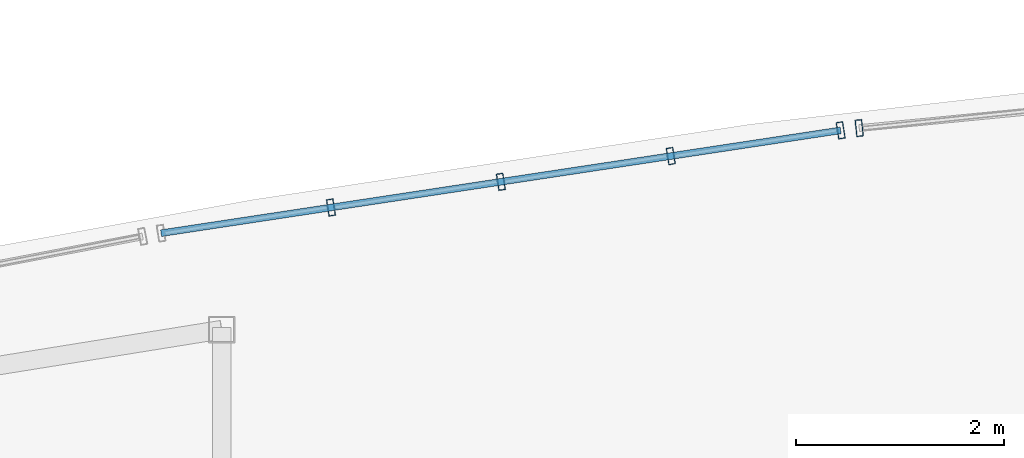
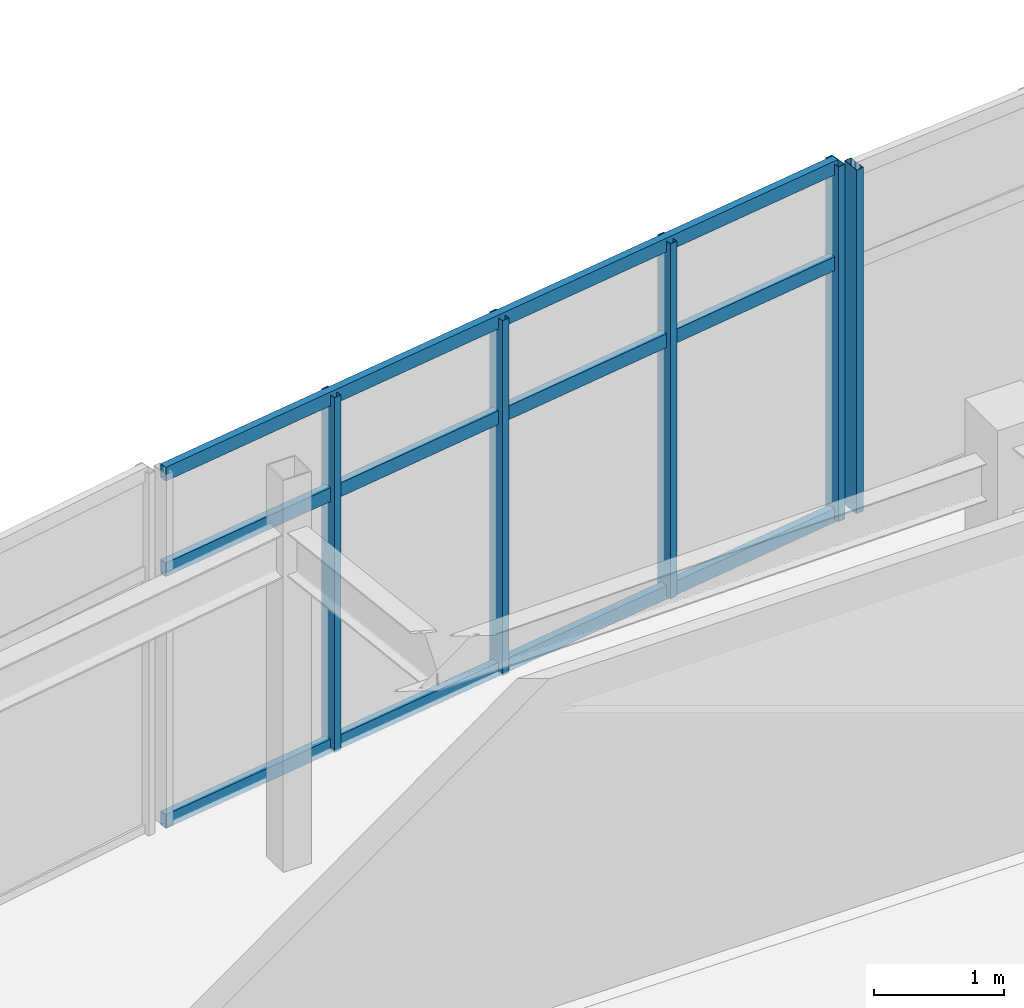
# One storey, part 44 of 65: 8 members, 2 elements without a shape of their own.
"""IFC4 building model written with IfcOpenShell, lengths in metres."""

from ifc_helpers import new_model, si_unit, direction, frame, origin, origin_2d, place, context, subcontext, project, spatial, hollow_rectangle, extrude, material, layer, layer_set, material_profile, profile_set, type_object, element, aggregate, save


model = new_model("IFC4")

# Units and contexts
model_context = context("Model", 3, precision=1e-05, world=origin(), true_north=direction((0.0, 1.0)))
body_context = subcontext(model_context, "Body", "Model", "MODEL_VIEW")
ifc_project = project(units=[si_unit("LENGTHUNIT", "METRE"), si_unit("AREAUNIT", "SQUARE_METRE"), si_unit("VOLUMEUNIT", "CUBIC_METRE"), si_unit("PLANEANGLEUNIT", "RADIAN"), si_unit("MASSUNIT", "GRAM", prefix="KILO")], contexts=[model_context])

# Site, building, storey
site_placement = place(None, origin())
site = spatial("IfcSite", under=ifc_project, at=site_placement, CompositionType="ELEMENT")
building_placement = place(site_placement, origin())
building = spatial("IfcBuilding", under=site, at=building_placement, Name="Chalmorin Arch Market", CompositionType="ELEMENT")
storey_placement = place(building_placement, frame((0.0, 0.0, 14.10009765625)))
storey = spatial("IfcBuildingStorey", under=building, at=storey_placement, Name="L03", CompositionType="ELEMENT", Elevation=14.10009765625)

# Curtain wall, members
ifc_material = material(Name="Aluminium 6063-T6", Category="aluminium")
ifc_layer_1 = layer(ifc_material, 0.159912109375)
ifc_layer_set_1 = layer_set([ifc_layer_1], Name="Aluminium 6063-T6")
curtain_wall_type_1 = type_object("IfcCurtainWallType", Name="CulinaryStudioCurtainWall-CW3-6620x3330", PredefinedType="NOTDEFINED", material=ifc_layer_set_1)
curtain_wall_1_placement = place(storey_placement, origin())
curtain_wall_1 = element("IfcCurtainWall", 1, at=curtain_wall_1_placement, inside=storey, type_object=curtain_wall_type_1, Name="CW-03-129", PredefinedType="NOTDEFINED")
ifc_material_profile_1 = material_profile(ifc_material, hollow_rectangle(XDim=0.06494140625, YDim=0.159912109375, WallThickness=0.00390625, at=origin_2d()), Name="ALU65X160X4")
ifc_profile_set_1 = profile_set([ifc_material_profile_1], Name="Aluminium 6063-T6")
member_type_1 = type_object("IfcMemberType", Name="CurtainWallMullion-65x160", PredefinedType="MULLION", material=ifc_profile_set_1)
member_1_placement = place(storey_placement, frame((63.16455078125, 121.445068359375, -0.02001953125), z_axis=(0.0, 0.0, 1.0), x_axis=(0.987688340595, 0.15643446504, 0.0)))
member_1 = element("IfcMember", 2, at=member_1_placement, type_object=member_type_1, Name="ML-129-02", PredefinedType="MULLION", context=body_context, shape_type="SweptSolid", body=[
    extrude(hollow_rectangle(XDim=0.06494140625, YDim=0.159912109375, WallThickness=0.00390625, at=origin_2d()), origin(), (0.0, 0.0, 1.0), 3.3330078125),
])
member_2_placement = place(storey_placement, frame((64.800048828125, 121.6923828125, -0.02001953125), z_axis=(0.0, 0.0, 1.0), x_axis=(0.987688340595, 0.15643446504, 0.0)))
member_2 = element("IfcMember", 3, at=member_2_placement, type_object=member_type_1, Name="ML-129-03", PredefinedType="MULLION", context=body_context, shape_type="SweptSolid", body=[
    extrude(hollow_rectangle(XDim=0.06494140625, YDim=0.159912109375, WallThickness=0.00390625, at=origin_2d()), origin(), (0.0, 0.0, 1.0), 3.3330078125),
])
member_3_placement = place(storey_placement, frame((66.435546875, 121.93994140625, -0.02001953125), z_axis=(0.0, 0.0, 1.0), x_axis=(0.987688340595, 0.15643446504, 0.0)))
member_3 = element("IfcMember", 4, at=member_3_placement, type_object=member_type_1, Name="ML-129-04", PredefinedType="MULLION", context=body_context, shape_type="SweptSolid", body=[
    extrude(hollow_rectangle(XDim=0.06494140625, YDim=0.159912109375, WallThickness=0.00390625, at=origin_2d()), origin(), (0.0, 0.0, 1.0), 3.3330078125),
])
member_4_placement = place(storey_placement, frame((68.071044921875, 122.1875, -0.02001953125), z_axis=(0.0, 0.0, 1.0), x_axis=(0.987688340595, 0.15643446504, 0.0)))
member_4 = element("IfcMember", 5, at=member_4_placement, type_object=member_type_1, Name="ML-129-05", PredefinedType="MULLION", context=body_context, shape_type="SweptSolid", body=[
    extrude(hollow_rectangle(XDim=0.06494140625, YDim=0.159912109375, WallThickness=0.00390625, at=origin_2d()), origin(), (0.0, 0.0, 1.0), 3.3330078125),
])

# Curtain wall, member
ifc_layer_2 = layer(ifc_material, 0.159912109375)
ifc_layer_set_2 = layer_set([ifc_layer_2], Name="Aluminium 6063-T6")
curtain_wall_type_2 = type_object("IfcCurtainWallType", Name="CulinaryStudioCurtainWall-CW3-6570x3230", PredefinedType="NOTDEFINED", material=ifc_layer_set_2)
curtain_wall_2_placement = place(storey_placement, origin())
curtain_wall_2 = element("IfcCurtainWall", 6, at=curtain_wall_2_placement, inside=storey, type_object=curtain_wall_type_2, Name="CW-03-132", PredefinedType="NOTDEFINED")
member_5_placement = place(storey_placement, frame((68.24951171875, 122.209716796875, -0.02001953125), z_axis=(0.0, 0.0, 1.0), x_axis=(0.994521895368, 0.104528463268, 0.0)))
member_5 = element("IfcMember", 7, at=member_5_placement, type_object=member_type_1, Name="ML-132-01", PredefinedType="MULLION", context=body_context, shape_type="SweptSolid", body=[
    extrude(hollow_rectangle(XDim=0.06494140625, YDim=0.159912109375, WallThickness=0.00390625, at=origin_2d()), origin(), (0.0, 0.0, 1.0), 3.22998046875),
])
aggregate(curtain_wall_2, [member_5])

# Member
ifc_material_profile_2 = material_profile(ifc_material, hollow_rectangle(XDim=0.06494140625, YDim=0.1298828125, WallThickness=0.00390625, at=origin_2d()), Name="ALU65X130X4")
ifc_profile_set_2 = profile_set([ifc_material_profile_2], Name="Aluminium 6063-T6")
member_type_2 = type_object("IfcMemberType", Name="CurtainWallTransom-65x130", PredefinedType="USERDEFINED", material=ifc_profile_set_2)
member_6_placement = place(storey_placement, frame((61.529052734375, 121.197509765625, 0.014892578125), z_axis=(0.988742814157, 0.149625022817, 0.0), x_axis=(-0.149625022817, 0.988742814157, 0.0)))
member_6 = element("IfcMember", 8, at=member_6_placement, type_object=member_type_2, Name="TR-129-01", ObjectType="TRANSOM", PredefinedType="USERDEFINED", context=body_context, shape_type="SweptSolid", body=[
    extrude(hollow_rectangle(XDim=0.06494140625, YDim=0.1298828125, WallThickness=0.00390625, at=origin_2d()), origin(), (0.0, 0.0, 1.0), 6.616455078125),
])

member_7_placement = place(storey_placement, frame((61.529052734375, 121.197509765625, 2.379638671875), z_axis=(0.988742814157, 0.149625022817, 0.0), x_axis=(-0.149625022817, 0.988742814157, 0.0)))
member_7 = element("IfcMember", 9, at=member_7_placement, type_object=member_type_2, Name="TR-129-02", ObjectType="TRANSOM", PredefinedType="USERDEFINED", context=body_context, shape_type="SweptSolid", body=[
    extrude(hollow_rectangle(XDim=0.06494140625, YDim=0.1298828125, WallThickness=0.00390625, at=origin_2d()), origin(), (0.0, 0.0, 1.0), 6.616455078125),
])

member_8_placement = place(storey_placement, frame((61.529052734375, 121.197509765625, 3.27783203125), z_axis=(0.988742814157, 0.149625022817, 0.0), x_axis=(-0.149625022817, 0.988742814157, 0.0)))
member_8 = element("IfcMember", 10, at=member_8_placement, type_object=member_type_2, Name="TR-129-03", ObjectType="TRANSOM", PredefinedType="USERDEFINED", context=body_context, shape_type="SweptSolid", body=[
    extrude(hollow_rectangle(XDim=0.06494140625, YDim=0.1298828125, WallThickness=0.00390625, at=origin_2d()), origin(), (0.0, 0.0, 1.0), 6.616455078125),
])

aggregate(curtain_wall_1, [member_1, member_2, member_3, member_4, member_6, member_7, member_8])

save(model, "model.ifc")
